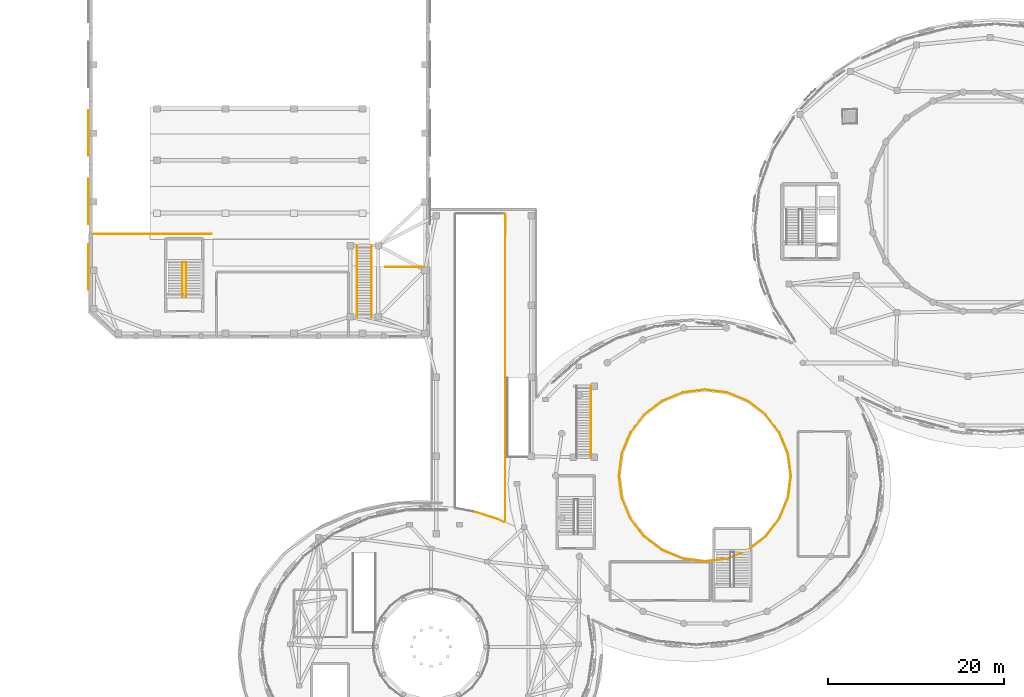
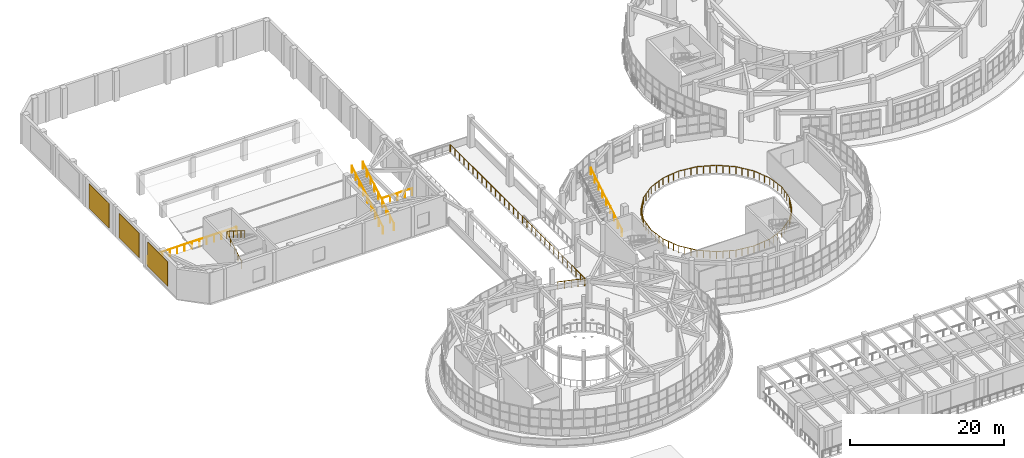
# One storey, part 93 of 98: 9 railings, 3 coverings.
"""IFC4 building model written with IfcOpenShell, lengths in metres."""

import ifcopenshell
import ifcopenshell.guid

model = None  # the IFC model being written
_history = None  # IfcOwnerHistory: only IFC2X3 demands one
_inside = {}  # id of a spatial element -> (the spatial element, [elements in it])
_under = {}  # id of a project, library or spatial element -> (it, [spatial elements below it])
_declared = {}  # id of a project -> (the project, [libraries it declares])
_typed = {}  # id of a type object -> (the type object, [elements of that type])
_made_of = {}  # id of a material, layer set ... -> (it, [elements and type objects made of it])


def new_model(schema):
    """Start an empty IFC model of exactly this schema.

    Asked for "IFC4X3", IfcOpenShell would pick the latest addendum, in which some entities
    have other attributes; the version numbers below select the first issue.
    IFC2X3 requires an IfcOwnerHistory on every rooted entity: one is made here for all.
    """
    global model, _history
    if schema == "IFC4X3":
        model = ifcopenshell.file(schema_version=(4, 3, 0, 0))
    else:
        model = ifcopenshell.file(schema=schema)
    _inside.clear()
    _under.clear()
    _declared.clear()
    _typed.clear()
    _made_of.clear()
    _history = None
    if model.schema == "IFC2X3":
        org = make("IfcOrganization", Name="unknown")
        user = make(
            "IfcPersonAndOrganization",
            ThePerson=make("IfcPerson", FamilyName="unknown"),
            TheOrganization=org,
        )
        app = make(
            "IfcApplication",
            ApplicationDeveloper=org,
            Version="unknown",
            ApplicationFullName="unknown",
            ApplicationIdentifier="unknown",
        )
        _history = make(
            "IfcOwnerHistory",
            OwningUser=user,
            OwningApplication=app,
            ChangeAction="ADDED",
            CreationDate=0,
        )
    return model


def make(cls, **values):
    """One entity of the class cls with the attributes given. An attribute that is None is left unset."""
    return model.create_entity(
        cls, **{name: value for name, value in values.items() if value is not None}
    )


def rooted(cls, **values):
    """An entity with a GlobalId (a new one), such as an element, a storey or a relation."""
    return make(cls, GlobalId=ifcopenshell.guid.new(), OwnerHistory=_history, **values)


def si_unit(unit_type, name, prefix=None):
    """IfcSIUnit, for example si_unit("LENGTHUNIT", "METRE", prefix="MILLI")."""
    return make("IfcSIUnit", UnitType=unit_type, Prefix=prefix, Name=name)


def assignment(units):
    """IfcUnitAssignment: the units of a project."""
    return None if units is None else make("IfcUnitAssignment", Units=units)


def point(xyz):
    """IfcCartesianPoint."""
    return None if xyz is None else make("IfcCartesianPoint", Coordinates=xyz)


def direction(xyz):
    """IfcDirection."""
    return None if xyz is None else make("IfcDirection", DirectionRatios=xyz)


def frame(location, z_axis=None, x_axis=None):
    """IfcAxis2Placement3D, a coordinate frame: its origin and axes. An axis left out is left unset."""
    return make(
        "IfcAxis2Placement3D",
        Location=point(location),
        Axis=direction(z_axis),
        RefDirection=direction(x_axis),
    )


def frame_2d(location, x_axis=None):
    """IfcAxis2Placement2D, a coordinate frame in the plane: its origin and x axis."""
    return make(
        "IfcAxis2Placement2D", Location=point(location), RefDirection=direction(x_axis)
    )


def origin():
    """The frame at (0, 0, 0) with its axes left unset."""
    return frame((0.0, 0.0, 0.0))


def origin_2d():
    """The frame at (0, 0) in the plane with its x axis left unset."""
    return frame_2d((0.0, 0.0))


def place(relative_to, where):
    """IfcLocalPlacement: puts the frame where relative to a parent placement (None: the world)."""
    return make(
        "IfcLocalPlacement", PlacementRelTo=relative_to, RelativePlacement=where
    )


def context(
    kind, dimensions, precision=None, world=None, true_north=None, identifier=None
):
    """IfcGeometricRepresentationContext, for example the 3D "Model" context."""
    return make(
        "IfcGeometricRepresentationContext",
        ContextIdentifier=identifier,
        ContextType=kind,
        CoordinateSpaceDimension=dimensions,
        Precision=precision,
        WorldCoordinateSystem=world,
        TrueNorth=true_north,
    )


def subcontext(parent, identifier, kind, view, scale=None):
    """IfcGeometricRepresentationSubContext, for example "Body" below "Model"."""
    return make(
        "IfcGeometricRepresentationSubContext",
        ContextIdentifier=identifier,
        ContextType=kind,
        ParentContext=parent,
        TargetScale=scale,
        TargetView=view,
    )


def project(units=None, contexts=None):
    """IfcProject with its units and contexts."""
    return rooted(
        "IfcProject",
        Name="project",
        RepresentationContexts=contexts,
        UnitsInContext=assignment(units),
    )


def spatial(cls, under=None, at=None, **own):
    """A site, building, storey or space (cls), placed at a placement, below another one or the project."""
    s = rooted(cls, ObjectPlacement=at, **own)
    if under is not None:
        _under.setdefault(under.id(), (under, []))[1].append(s)
    return s


def profile(cls, at=None, kind="AREA", **sizes):
    """A parametric profile (cls). Its sizes go by their IFC names, for example OverallWidth=200.0."""
    return make(cls, ProfileType=kind, Position=at, **sizes)


def rectangle(**sizes):
    """IfcRectangleProfileDef."""
    return profile("IfcRectangleProfileDef", **sizes)


def circle(**sizes):
    """IfcCircleProfileDef."""
    return profile("IfcCircleProfileDef", **sizes)


def extrude(swept, where, along, depth):
    """IfcExtrudedAreaSolid: the profile swept, set in the frame where, extruded along a direction by depth."""
    return make(
        "IfcExtrudedAreaSolid",
        SweptArea=swept,
        Position=where,
        ExtrudedDirection=direction(along),
        Depth=depth,
    )


def shape(context_of_items, identifier, shape_type, items):
    """IfcShapeRepresentation: the items that make up one representation, for example the "Body"."""
    return make(
        "IfcShapeRepresentation",
        ContextOfItems=context_of_items,
        RepresentationIdentifier=identifier,
        RepresentationType=shape_type,
        Items=items,
    )


def material(Name=None, Category=None):
    """IfcMaterial."""
    return make("IfcMaterial", Name=Name, Category=Category)


def layer(
    of_material, thickness, ventilated=None, Name=None, Category=None, Priority=None
):
    """IfcMaterialLayer: one layer of a wall or slab, of a material (None: an air gap)."""
    return make(
        "IfcMaterialLayer",
        Material=of_material,
        LayerThickness=thickness,
        IsVentilated=ventilated,
        Name=Name,
        Category=Category,
        Priority=Priority,
    )


def layer_set(layers, Name=None):
    """IfcMaterialLayerSet."""
    return make("IfcMaterialLayerSet", MaterialLayers=layers, LayerSetName=Name)


def made_of(thing, what):
    """Note that an element or type object is made of a material, layer set ...; save() writes the relation."""
    if what is not None:
        _made_of.setdefault(what.id(), (what, []))[1].append(thing)
    return thing


def type_object(cls, material=None, **own):
    """A type object (cls), such as IfcWallType, which elements share."""
    return made_of(rooted(cls, **own), material)


def element(
    cls,
    number,
    at=None,
    inside=None,
    cuts=None,
    type_object=None,
    material=None,
    context=None,
    identifier="Body",
    shape_type=None,
    held_by="IfcProductDefinitionShape",
    body=None,
    shapes=None,
    **own,
):
    """One element of the class cls, such as IfcWall. Its Tag is "e" and its number.

    at: its placement. inside: the storey or other place that contains it. cuts: it is an
    opening in that element (IfcRelVoidsElement). A single representation is given by context,
    identifier, shape_type and body (its items); several are given by shapes. held_by: the class
    of the entity that holds the representations. save() writes the other relations.
    """
    e = rooted(cls, Tag="e%d" % number, ObjectPlacement=at, **own)
    if body is not None:
        shapes = [shape(context, identifier, shape_type, body)]
    if shapes is not None:
        e.Representation = make(held_by, Representations=shapes)
    if inside is not None:
        _inside.setdefault(inside.id(), (inside, []))[1].append(e)
    if cuts is not None:
        rooted(
            "IfcRelVoidsElement", RelatingBuildingElement=cuts, RelatedOpeningElement=e
        )
    if type_object is not None:
        _typed.setdefault(type_object.id(), (type_object, []))[1].append(e)
    return made_of(e, material)


def aggregate(whole, parts):
    """IfcRelAggregates: a whole, such as a stair, and the parts it consists of."""
    return rooted("IfcRelAggregates", RelatingObject=whole, RelatedObjects=parts)


def save(model, path):
    """Write the relations noted so far, then the file.

    IfcRelAggregates (storeys below a building ...), IfcRelContainedInSpatialStructure (elements
    in a storey), IfcRelDefinesByType, IfcRelAssociatesMaterial and IfcRelDeclares: one each for
    every whole, place, type object, material and project.
    """
    for whole, parts in _under.values():
        aggregate(whole, parts)
    for where, things in _inside.values():
        rooted(
            "IfcRelContainedInSpatialStructure",
            RelatedElements=things,
            RelatingStructure=where,
        )
    for kind, things in _typed.values():
        rooted("IfcRelDefinesByType", RelatedObjects=things, RelatingType=kind)
    for what, things in _made_of.values():
        rooted("IfcRelAssociatesMaterial", RelatedObjects=things, RelatingMaterial=what)
    for by, libraries in _declared.values():
        rooted("IfcRelDeclares", RelatingContext=by, RelatedDefinitions=libraries)
    model.write(path)


model = new_model("IFC4")

# Units and contexts
model_context = context("Model", 3, precision=1e-05, world=origin(), true_north=direction((0.0, 1.0)))
body_context = subcontext(model_context, "Body", "Model", "MODEL_VIEW")
ifc_project = project(units=[si_unit("LENGTHUNIT", "METRE"), si_unit("AREAUNIT", "SQUARE_METRE"), si_unit("VOLUMEUNIT", "CUBIC_METRE"), si_unit("PLANEANGLEUNIT", "RADIAN"), si_unit("MASSUNIT", "GRAM", prefix="KILO")], contexts=[model_context])

# Site, building, storey
site_placement = place(None, origin())
site = spatial("IfcSite", under=ifc_project, at=site_placement, CompositionType="ELEMENT")
building_placement = place(site_placement, origin())
building = spatial("IfcBuilding", under=site, at=building_placement, Name="Pelvatis Terrace Science Centre", CompositionType="ELEMENT")
storey_placement = place(building_placement, frame((0.0, 0.0, 5.39990234375)))
storey = spatial("IfcBuildingStorey", under=building, at=storey_placement, Name="L01", CompositionType="ELEMENT", Elevation=5.39990234375)

# Coverings
ifc_material_1 = material(Name="Fluted warm stone-aggregate precast facade relief panel", Category="masonry")
ifc_layer = layer(ifc_material_1, 0.054931640625)
ifc_layer_set = layer_set([ifc_layer], Name="Fluted warm stone-aggregate precast facade relief panel")
covering_type = type_object("IfcCoveringType", Name="COV-CLAD-PREC-55", PredefinedType="CLADDING", material=ifc_layer_set)
for number, where, z_axis, x_axis, name in (
    (1, (7.8173828125, 78.35009765625, 0.500244140625), (0.0, 0.0, 1.0), (1.0, 0.0, 0.0), "Theatre fluted Art Deco relief panel W1 (L01)"),
    (2, (7.8173828125, 85.800048828125, 0.500244140625), (0.0, 0.0, 1.0), (1.0, 0.0, 0.0), "Theatre fluted Art Deco relief panel W2 (L01)"),
    (3, (7.8173828125, 93.60009765625, 0.500244140625), (0.0, 0.0, 1.0), (1.0, 0.0, 0.0), "Theatre fluted Art Deco relief panel W3 (L01)"),
):
    element("IfcCovering", number, at=place(storey_placement, frame(where, z_axis=z_axis, x_axis=x_axis)), inside=storey, type_object=covering_type, Name=name, PredefinedType="CLADDING", context=body_context, shape_type="SweptSolid", body=[
        extrude(rectangle(XDim=0.054931640625, YDim=5.199951171875, at=origin_2d()), origin(), (0.0, 0.0, 1.0), 3.89990234375),
    ])

# Railings
ifc_material_2 = material(Name="Brushed architectural bronze tubular railing", Category="steel")
railing_type_1 = type_object("IfcRailingType", Name="RLG-ATR-1140", PredefinedType="BALUSTRADE", material=ifc_material_2)
railing_1_placement = place(storey_placement, frame((87.800048828125, 54.60009765625, 0.0)))
element("IfcRailing", 4, at=railing_1_placement, inside=storey, type_object=railing_type_1, Name="Atrium overlook balustrade RLG-ATR-L01-V2 A", PredefinedType="BALUSTRADE", context=body_context, shape_type="SweptSolid", body=[
    extrude(circle(Radius=0.02392578125, at=origin_2d()), frame((0.0, 0.0, 1.11572265625), z_axis=(-0.130550788349, 0.991441622922, 0.0), x_axis=(-0.991441622922, -0.130550788349, 0.0)), (0.0, 0.0, 1.0), 2.558349609375),
    extrude(circle(Radius=0.02392578125, at=origin_2d()), frame((-0.333984375, 2.536376953125, 1.11572265625), z_axis=(-0.382683310397, 0.923879583032, 0.0), x_axis=(-0.923879583032, -0.382683310397, 0.0)), (0.0, 0.0, 1.0), 2.558349609375),
    extrude(circle(Radius=0.02392578125, at=origin_2d()), frame((-1.31298828125, 4.89990234375, 1.11572265625), z_axis=(-0.608774088014, 0.793343626534, 0.0), x_axis=(-0.793343626534, -0.608774088014, 0.0)), (0.0, 0.0, 1.0), 2.55810546875),
    extrude(circle(Radius=0.02392578125, at=origin_2d()), frame((-2.870361328125, 6.929443359375, 1.11572265625), z_axis=(-0.793378990955, 0.608727998954, 0.0), x_axis=(-0.608727998954, -0.793378990955, 0.0)), (0.0, 0.0, 1.0), 2.558349609375),
    extrude(circle(Radius=0.02392578125, at=origin_2d()), frame((-4.900146484375, 8.48681640625, 1.11572265625), z_axis=(-0.923845840288, 0.382764762462, 0.0), x_axis=(-0.382764762462, -0.923845840288, 0.0)), (0.0, 0.0, 1.0), 2.558349609375),
    extrude(circle(Radius=0.02392578125, at=origin_2d()), frame((-7.263671875, 9.466064453125, 1.11572265625), z_axis=(-0.991453970716, 0.130456981227, 0.0), x_axis=(-0.130456981227, -0.991453970716, 0.0)), (0.0, 0.0, 1.0), 2.558349609375),
    extrude(circle(Radius=0.02392578125, at=origin_2d()), frame((-9.800048828125, 9.7998046875, 1.11572265625), z_axis=(-0.991453970716, -0.130456981227, 0.0), x_axis=(0.130456981227, -0.991453970716, 0.0)), (0.0, 0.0, 1.0), 2.558349609375),
    extrude(circle(Radius=0.02392578125, at=origin_2d()), frame((-12.33642578125, 9.466064453125, 1.11572265625), z_axis=(-0.923845840288, -0.382764762462, 0.0), x_axis=(0.382764762462, -0.923845840288, 0.0)), (0.0, 0.0, 1.0), 2.558349609375),
    extrude(circle(Radius=0.02392578125, at=origin_2d()), frame((-14.699951171875, 8.48681640625, 1.11572265625), z_axis=(-0.793378990955, -0.608727998954, 0.0), x_axis=(0.608727998954, -0.793378990955, 0.0)), (0.0, 0.0, 1.0), 2.558349609375),
    extrude(circle(Radius=0.02392578125, at=origin_2d()), frame((-16.729736328125, 6.929443359375, 1.11572265625), z_axis=(-0.608774088014, -0.793343626534, 0.0), x_axis=(0.793343626534, -0.608774088014, 0.0)), (0.0, 0.0, 1.0), 2.55810546875),
    extrude(circle(Radius=0.02392578125, at=origin_2d()), frame((-18.287109375, 4.89990234375, 1.11572265625), z_axis=(-0.382683310397, -0.923879583032, 0.0), x_axis=(0.923879583032, -0.382683310397, 0.0)), (0.0, 0.0, 1.0), 2.558349609375),
    extrude(circle(Radius=0.02392578125, at=origin_2d()), frame((-19.26611328125, 2.536376953125, 1.11572265625), z_axis=(-0.130550788349, -0.991441622922, 0.0), x_axis=(0.991441622922, -0.130550788349, 0.0)), (0.0, 0.0, 1.0), 2.558349609375),
    extrude(circle(Radius=0.02099609375, at=origin_2d()), origin(), (0.0, 0.0, 1.0), 1.091796875),
    extrude(circle(Radius=0.02099609375, at=origin_2d()), frame((-0.111328125, 0.845458984375, 0.0)), (0.0, 0.0, 1.0), 1.091796875),
    extrude(circle(Radius=0.02099609375, at=origin_2d()), frame((-0.22265625, 1.69091796875, 0.0)), (0.0, 0.0, 1.0), 1.091796875),
    extrude(circle(Radius=0.02099609375, at=origin_2d()), frame((-0.333984375, 2.536376953125, 0.0)), (0.0, 0.0, 1.0), 1.091796875),
    extrude(circle(Radius=0.02099609375, at=origin_2d()), frame((-0.660400390625, 3.32421875, 0.0)), (0.0, 0.0, 1.0), 1.091796875),
    extrude(circle(Radius=0.02099609375, at=origin_2d()), frame((-0.986572265625, 4.112060546875, 0.0)), (0.0, 0.0, 1.0), 1.091796875),
    extrude(circle(Radius=0.02099609375, at=origin_2d()), frame((-1.31298828125, 4.89990234375, 0.0)), (0.0, 0.0, 1.0), 1.091796875),
    extrude(circle(Radius=0.02099609375, at=origin_2d()), frame((-1.83203125, 5.576416015625, 0.0)), (0.0, 0.0, 1.0), 1.091796875),
    extrude(circle(Radius=0.02099609375, at=origin_2d()), frame((-2.351318359375, 6.2529296875, 0.0)), (0.0, 0.0, 1.0), 1.091796875),
    extrude(circle(Radius=0.02099609375, at=origin_2d()), frame((-2.870361328125, 6.929443359375, 0.0)), (0.0, 0.0, 1.0), 1.091796875),
    extrude(circle(Radius=0.02099609375, at=origin_2d()), frame((-3.546875, 7.448486328125, 0.0)), (0.0, 0.0, 1.0), 1.091796875),
    extrude(circle(Radius=0.02099609375, at=origin_2d()), frame((-4.2236328125, 7.9677734375, 0.0)), (0.0, 0.0, 1.0), 1.091796875),
    extrude(circle(Radius=0.02099609375, at=origin_2d()), frame((-4.900146484375, 8.48681640625, 0.0)), (0.0, 0.0, 1.0), 1.091796875),
    extrude(circle(Radius=0.02099609375, at=origin_2d()), frame((-5.68798828125, 8.813232421875, 0.0)), (0.0, 0.0, 1.0), 1.091796875),
    extrude(circle(Radius=0.02099609375, at=origin_2d()), frame((-6.475830078125, 9.1396484375, 0.0)), (0.0, 0.0, 1.0), 1.091796875),
    extrude(circle(Radius=0.02099609375, at=origin_2d()), frame((-7.263671875, 9.466064453125, 0.0)), (0.0, 0.0, 1.0), 1.091796875),
    extrude(circle(Radius=0.02099609375, at=origin_2d()), frame((-8.109130859375, 9.577392578125, 0.0)), (0.0, 0.0, 1.0), 1.091796875),
    extrude(circle(Radius=0.02099609375, at=origin_2d()), frame((-8.95458984375, 9.6884765625, 0.0)), (0.0, 0.0, 1.0), 1.091796875),
    extrude(circle(Radius=0.02099609375, at=origin_2d()), frame((-9.800048828125, 9.7998046875, 0.0)), (0.0, 0.0, 1.0), 1.091796875),
    extrude(circle(Radius=0.02099609375, at=origin_2d()), frame((-10.6455078125, 9.6884765625, 0.0)), (0.0, 0.0, 1.0), 1.091796875),
    extrude(circle(Radius=0.02099609375, at=origin_2d()), frame((-11.490966796875, 9.577392578125, 0.0)), (0.0, 0.0, 1.0), 1.091796875),
    extrude(circle(Radius=0.02099609375, at=origin_2d()), frame((-12.33642578125, 9.466064453125, 0.0)), (0.0, 0.0, 1.0), 1.091796875),
    extrude(circle(Radius=0.02099609375, at=origin_2d()), frame((-13.124267578125, 9.1396484375, 0.0)), (0.0, 0.0, 1.0), 1.091796875),
    extrude(circle(Radius=0.02099609375, at=origin_2d()), frame((-13.912109375, 8.813232421875, 0.0)), (0.0, 0.0, 1.0), 1.091796875),
    extrude(circle(Radius=0.02099609375, at=origin_2d()), frame((-14.699951171875, 8.48681640625, 0.0)), (0.0, 0.0, 1.0), 1.091796875),
    extrude(circle(Radius=0.02099609375, at=origin_2d()), frame((-15.37646484375, 7.9677734375, 0.0)), (0.0, 0.0, 1.0), 1.091796875),
    extrude(circle(Radius=0.02099609375, at=origin_2d()), frame((-16.05322265625, 7.448486328125, 0.0)), (0.0, 0.0, 1.0), 1.091796875),
    extrude(circle(Radius=0.02099609375, at=origin_2d()), frame((-16.729736328125, 6.929443359375, 0.0)), (0.0, 0.0, 1.0), 1.091796875),
    extrude(circle(Radius=0.02099609375, at=origin_2d()), frame((-17.248779296875, 6.2529296875, 0.0)), (0.0, 0.0, 1.0), 1.091796875),
    extrude(circle(Radius=0.02099609375, at=origin_2d()), frame((-17.76806640625, 5.576416015625, 0.0)), (0.0, 0.0, 1.0), 1.091796875),
    extrude(circle(Radius=0.02099609375, at=origin_2d()), frame((-18.287109375, 4.89990234375, 0.0)), (0.0, 0.0, 1.0), 1.091796875),
    extrude(circle(Radius=0.02099609375, at=origin_2d()), frame((-18.613525390625, 4.112060546875, 0.0)), (0.0, 0.0, 1.0), 1.091796875),
    extrude(circle(Radius=0.02099609375, at=origin_2d()), frame((-18.939697265625, 3.32421875, 0.0)), (0.0, 0.0, 1.0), 1.091796875),
    extrude(circle(Radius=0.02099609375, at=origin_2d()), frame((-19.26611328125, 2.536376953125, 0.0)), (0.0, 0.0, 1.0), 1.091796875),
    extrude(circle(Radius=0.02099609375, at=origin_2d()), frame((-19.37744140625, 1.69091796875, 0.0)), (0.0, 0.0, 1.0), 1.091796875),
    extrude(circle(Radius=0.02099609375, at=origin_2d()), frame((-19.48876953125, 0.845458984375, 0.0)), (0.0, 0.0, 1.0), 1.091796875),
    extrude(circle(Radius=0.02099609375, at=origin_2d()), frame((-19.60009765625, 0.0, 0.0)), (0.0, 0.0, 1.0), 1.091796875),
])
railing_2_placement = place(storey_placement, frame((68.199951171875, 54.60009765625, 0.0)))
element("IfcRailing", 5, at=railing_2_placement, inside=storey, type_object=railing_type_1, Name="Atrium overlook balustrade RLG-ATR-L01-V2 B", PredefinedType="BALUSTRADE", context=body_context, shape_type="SweptSolid", body=[
    extrude(circle(Radius=0.02392578125, at=origin_2d()), frame((0.0, 0.0, 1.11572265625), z_axis=(0.130550788349, -0.991441622922, 0.0), x_axis=(0.991441622922, 0.130550788349, 0.0)), (0.0, 0.0, 1.0), 2.558349609375),
    extrude(circle(Radius=0.02392578125, at=origin_2d()), frame((0.333984375, -2.536376953125, 1.11572265625), z_axis=(0.382649572731, -0.923893556904, 0.0), x_axis=(0.923893556904, 0.382649572731, 0.0)), (0.0, 0.0, 1.0), 2.55859375),
    extrude(circle(Radius=0.02392578125, at=origin_2d()), frame((1.31298828125, -4.900146484375, 1.11572265625), z_axis=(0.608774088014, -0.793343626534, 0.0), x_axis=(0.793343626534, 0.608774088014, 0.0)), (0.0, 0.0, 1.0), 2.55810546875),
    extrude(circle(Radius=0.02392578125, at=origin_2d()), frame((2.870361328125, -6.9296875, 1.11572265625), z_axis=(0.793378990955, -0.608727998954, 0.0), x_axis=(0.608727998954, 0.793378990955, 0.0)), (0.0, 0.0, 1.0), 2.558349609375),
    extrude(circle(Radius=0.02392578125, at=origin_2d()), frame((4.900146484375, -8.487060546875, 1.11572265625), z_axis=(0.923845840288, -0.382764762462, 0.0), x_axis=(0.382764762462, 0.923845840288, 0.0)), (0.0, 0.0, 1.0), 2.558349609375),
    extrude(circle(Radius=0.02392578125, at=origin_2d()), frame((7.263671875, -9.46630859375, 1.11572265625), z_axis=(0.991453970716, -0.130456981227, 0.0), x_axis=(0.130456981227, 0.991453970716, 0.0)), (0.0, 0.0, 1.0), 2.558349609375),
    extrude(circle(Radius=0.02392578125, at=origin_2d()), frame((9.800048828125, -9.800048828125, 1.11572265625), z_axis=(0.991453970716, 0.130456981227, 0.0), x_axis=(-0.130456981227, 0.991453970716, 0.0)), (0.0, 0.0, 1.0), 2.558349609375),
    extrude(circle(Radius=0.02392578125, at=origin_2d()), frame((12.33642578125, -9.46630859375, 1.11572265625), z_axis=(0.923845840288, 0.382764762462, 0.0), x_axis=(-0.382764762462, 0.923845840288, 0.0)), (0.0, 0.0, 1.0), 2.558349609375),
    extrude(circle(Radius=0.02392578125, at=origin_2d()), frame((14.699951171875, -8.487060546875, 1.11572265625), z_axis=(0.793378990955, 0.608727998954, 0.0), x_axis=(-0.608727998954, 0.793378990955, 0.0)), (0.0, 0.0, 1.0), 2.558349609375),
    extrude(circle(Radius=0.02392578125, at=origin_2d()), frame((16.729736328125, -6.9296875, 1.11572265625), z_axis=(0.608774088014, 0.793343626534, 0.0), x_axis=(-0.793343626534, 0.608774088014, 0.0)), (0.0, 0.0, 1.0), 2.55810546875),
    extrude(circle(Radius=0.02392578125, at=origin_2d()), frame((18.287109375, -4.900146484375, 1.11572265625), z_axis=(0.382649572731, 0.923893556904, 0.0), x_axis=(-0.923893556904, 0.382649572731, 0.0)), (0.0, 0.0, 1.0), 2.55859375),
    extrude(circle(Radius=0.02392578125, at=origin_2d()), frame((19.26611328125, -2.536376953125, 1.11572265625), z_axis=(0.130550788349, 0.991441622922, 0.0), x_axis=(-0.991441622922, 0.130550788349, 0.0)), (0.0, 0.0, 1.0), 2.558349609375),
    extrude(circle(Radius=0.02099609375, at=origin_2d()), origin(), (0.0, 0.0, 1.0), 1.091796875),
    extrude(circle(Radius=0.02099609375, at=origin_2d()), frame((0.111328125, -0.845458984375, 0.0)), (0.0, 0.0, 1.0), 1.091796875),
    extrude(circle(Radius=0.02099609375, at=origin_2d()), frame((0.22265625, -1.69091796875, 0.0)), (0.0, 0.0, 1.0), 1.091796875),
    extrude(circle(Radius=0.02099609375, at=origin_2d()), frame((0.333984375, -2.536376953125, 0.0)), (0.0, 0.0, 1.0), 1.091796875),
    extrude(circle(Radius=0.02099609375, at=origin_2d()), frame((0.660400390625, -3.32421875, 0.0)), (0.0, 0.0, 1.0), 1.091796875),
    extrude(circle(Radius=0.02099609375, at=origin_2d()), frame((0.986572265625, -4.1123046875, 0.0)), (0.0, 0.0, 1.0), 1.091796875),
    extrude(circle(Radius=0.02099609375, at=origin_2d()), frame((1.31298828125, -4.900146484375, 0.0)), (0.0, 0.0, 1.0), 1.091796875),
    extrude(circle(Radius=0.02099609375, at=origin_2d()), frame((1.83203125, -5.57666015625, 0.0)), (0.0, 0.0, 1.0), 1.091796875),
    extrude(circle(Radius=0.02099609375, at=origin_2d()), frame((2.351318359375, -6.253173828125, 0.0)), (0.0, 0.0, 1.0), 1.091796875),
    extrude(circle(Radius=0.02099609375, at=origin_2d()), frame((2.870361328125, -6.9296875, 0.0)), (0.0, 0.0, 1.0), 1.091796875),
    extrude(circle(Radius=0.02099609375, at=origin_2d()), frame((3.546875, -7.44873046875, 0.0)), (0.0, 0.0, 1.0), 1.091796875),
    extrude(circle(Radius=0.02099609375, at=origin_2d()), frame((4.2236328125, -7.968017578125, 0.0)), (0.0, 0.0, 1.0), 1.091796875),
    extrude(circle(Radius=0.02099609375, at=origin_2d()), frame((4.900146484375, -8.487060546875, 0.0)), (0.0, 0.0, 1.0), 1.091796875),
    extrude(circle(Radius=0.02099609375, at=origin_2d()), frame((5.68798828125, -8.8134765625, 0.0)), (0.0, 0.0, 1.0), 1.091796875),
    extrude(circle(Radius=0.02099609375, at=origin_2d()), frame((6.475830078125, -9.139892578125, 0.0)), (0.0, 0.0, 1.0), 1.091796875),
    extrude(circle(Radius=0.02099609375, at=origin_2d()), frame((7.263671875, -9.46630859375, 0.0)), (0.0, 0.0, 1.0), 1.091796875),
    extrude(circle(Radius=0.02099609375, at=origin_2d()), frame((8.109130859375, -9.57763671875, 0.0)), (0.0, 0.0, 1.0), 1.091796875),
    extrude(circle(Radius=0.02099609375, at=origin_2d()), frame((8.95458984375, -9.688720703125, 0.0)), (0.0, 0.0, 1.0), 1.091796875),
    extrude(circle(Radius=0.02099609375, at=origin_2d()), frame((9.800048828125, -9.800048828125, 0.0)), (0.0, 0.0, 1.0), 1.091796875),
    extrude(circle(Radius=0.02099609375, at=origin_2d()), frame((10.6455078125, -9.688720703125, 0.0)), (0.0, 0.0, 1.0), 1.091796875),
    extrude(circle(Radius=0.02099609375, at=origin_2d()), frame((11.490966796875, -9.57763671875, 0.0)), (0.0, 0.0, 1.0), 1.091796875),
    extrude(circle(Radius=0.02099609375, at=origin_2d()), frame((12.33642578125, -9.46630859375, 0.0)), (0.0, 0.0, 1.0), 1.091796875),
    extrude(circle(Radius=0.02099609375, at=origin_2d()), frame((13.124267578125, -9.139892578125, 0.0)), (0.0, 0.0, 1.0), 1.091796875),
    extrude(circle(Radius=0.02099609375, at=origin_2d()), frame((13.912109375, -8.8134765625, 0.0)), (0.0, 0.0, 1.0), 1.091796875),
    extrude(circle(Radius=0.02099609375, at=origin_2d()), frame((14.699951171875, -8.487060546875, 0.0)), (0.0, 0.0, 1.0), 1.091796875),
    extrude(circle(Radius=0.02099609375, at=origin_2d()), frame((15.37646484375, -7.968017578125, 0.0)), (0.0, 0.0, 1.0), 1.091796875),
    extrude(circle(Radius=0.02099609375, at=origin_2d()), frame((16.05322265625, -7.44873046875, 0.0)), (0.0, 0.0, 1.0), 1.091796875),
    extrude(circle(Radius=0.02099609375, at=origin_2d()), frame((16.729736328125, -6.9296875, 0.0)), (0.0, 0.0, 1.0), 1.091796875),
    extrude(circle(Radius=0.02099609375, at=origin_2d()), frame((17.248779296875, -6.253173828125, 0.0)), (0.0, 0.0, 1.0), 1.091796875),
    extrude(circle(Radius=0.02099609375, at=origin_2d()), frame((17.76806640625, -5.57666015625, 0.0)), (0.0, 0.0, 1.0), 1.091796875),
    extrude(circle(Radius=0.02099609375, at=origin_2d()), frame((18.287109375, -4.900146484375, 0.0)), (0.0, 0.0, 1.0), 1.091796875),
    extrude(circle(Radius=0.02099609375, at=origin_2d()), frame((18.613525390625, -4.1123046875, 0.0)), (0.0, 0.0, 1.0), 1.091796875),
    extrude(circle(Radius=0.02099609375, at=origin_2d()), frame((18.939697265625, -3.32421875, 0.0)), (0.0, 0.0, 1.0), 1.091796875),
    extrude(circle(Radius=0.02099609375, at=origin_2d()), frame((19.26611328125, -2.536376953125, 0.0)), (0.0, 0.0, 1.0), 1.091796875),
    extrude(circle(Radius=0.02099609375, at=origin_2d()), frame((19.37744140625, -1.69091796875, 0.0)), (0.0, 0.0, 1.0), 1.091796875),
    extrude(circle(Radius=0.02099609375, at=origin_2d()), frame((19.48876953125, -0.845458984375, 0.0)), (0.0, 0.0, 1.0), 1.091796875),
    extrude(circle(Radius=0.02099609375, at=origin_2d()), frame((19.60009765625, 0.0, 0.0)), (0.0, 0.0, 1.0), 1.091796875),
])
ifc_material_3 = material(Name="Bronze-anodised aluminium and laminated safety glass balustrade", Category="aluminium")
railing_type_2 = type_object("IfcRailingType", Name="RLG-BAL-1150", PredefinedType="BALUSTRADE", material=ifc_material_3)
railing_3_placement = place(storey_placement, frame((8.47509765625, 82.139892578125, 0.0)))
element("IfcRailing", 6, at=railing_3_placement, inside=storey, type_object=railing_type_2, Name="Perimeter edge balustrade RLG-EDG-L01-097", PredefinedType="BALUSTRADE", context=body_context, shape_type="SweptSolid", body=[
    extrude(circle(Radius=0.02392578125, at=origin_2d()), frame((0.0, 0.0, 1.1259765625), z_axis=(1.0, 0.0, 0.0), x_axis=(0.0, 1.0, 0.0)), (0.0, 0.0, 1.0), 13.324951171875),
    extrude(circle(Radius=0.02099609375, at=origin_2d()), origin(), (0.0, 0.0, 1.0), 1.101806640625),
    extrude(circle(Radius=0.02099609375, at=origin_2d()), frame((1.1103515625, 0.0, 0.0)), (0.0, 0.0, 1.0), 1.101806640625),
    extrude(circle(Radius=0.02099609375, at=origin_2d()), frame((2.220703125, 0.0, 0.0)), (0.0, 0.0, 1.0), 1.101806640625),
    extrude(circle(Radius=0.02099609375, at=origin_2d()), frame((3.331298828125, 0.0, 0.0)), (0.0, 0.0, 1.0), 1.101806640625),
    extrude(circle(Radius=0.02099609375, at=origin_2d()), frame((4.441650390625, 0.0, 0.0)), (0.0, 0.0, 1.0), 1.101806640625),
    extrude(circle(Radius=0.02099609375, at=origin_2d()), frame((5.552001953125, 0.0, 0.0)), (0.0, 0.0, 1.0), 1.101806640625),
    extrude(circle(Radius=0.02099609375, at=origin_2d()), frame((6.66259765625, 0.0, 0.0)), (0.0, 0.0, 1.0), 1.101806640625),
    extrude(circle(Radius=0.02099609375, at=origin_2d()), frame((7.77294921875, 0.0, 0.0)), (0.0, 0.0, 1.0), 1.101806640625),
    extrude(circle(Radius=0.02099609375, at=origin_2d()), frame((8.88330078125, 0.0, 0.0)), (0.0, 0.0, 1.0), 1.101806640625),
    extrude(circle(Radius=0.02099609375, at=origin_2d()), frame((9.99365234375, 0.0, 0.0)), (0.0, 0.0, 1.0), 1.101806640625),
    extrude(circle(Radius=0.02099609375, at=origin_2d()), frame((11.10400390625, 0.0, 0.0)), (0.0, 0.0, 1.0), 1.101806640625),
    extrude(circle(Radius=0.02099609375, at=origin_2d()), frame((12.214599609375, 0.0, 0.0)), (0.0, 0.0, 1.0), 1.101806640625),
    extrude(circle(Radius=0.02099609375, at=origin_2d()), frame((13.324951171875, 0.0, 0.0)), (0.0, 0.0, 1.0), 1.101806640625),
])
railing_4_placement = place(storey_placement, frame((41.60009765625, 78.340087890625, 0.0)))
element("IfcRailing", 7, at=railing_4_placement, inside=storey, type_object=railing_type_2, Name="Perimeter edge balustrade RLG-EDG-L01-098", PredefinedType="BALUSTRADE", context=body_context, shape_type="SweptSolid", body=[
    extrude(circle(Radius=0.02392578125, at=origin_2d()), frame((0.0, 0.0, 1.1259765625), z_axis=(1.0, 0.0, 0.0), x_axis=(0.0, 1.0, 0.0)), (0.0, 0.0, 1.0), 4.4248046875),
    extrude(circle(Radius=0.02099609375, at=origin_2d()), origin(), (0.0, 0.0, 1.0), 1.101806640625),
    extrude(circle(Radius=0.02099609375, at=origin_2d()), frame((1.106201171875, 0.0, 0.0)), (0.0, 0.0, 1.0), 1.101806640625),
    extrude(circle(Radius=0.02099609375, at=origin_2d()), frame((2.21240234375, 0.0, 0.0)), (0.0, 0.0, 1.0), 1.101806640625),
    extrude(circle(Radius=0.02099609375, at=origin_2d()), frame((3.318603515625, 0.0, 0.0)), (0.0, 0.0, 1.0), 1.101806640625),
    extrude(circle(Radius=0.02099609375, at=origin_2d()), frame((4.4248046875, 0.0, 0.0)), (0.0, 0.0, 1.0), 1.101806640625),
])
railing_5_placement = place(storey_placement, frame((51.794677734375, 50.477294921875, 0.0)))
element("IfcRailing", 8, at=railing_5_placement, inside=storey, type_object=railing_type_2, Name="Perimeter edge balustrade RLG-EDG-L01-241", PredefinedType="BALUSTRADE", context=body_context, shape_type="SweptSolid", body=[
    extrude(circle(Radius=0.02392578125, at=origin_2d()), frame((0.0, 0.0, 1.1259765625), z_axis=(0.952833819799, -0.303492523544, 0.0), x_axis=(0.303492523544, 0.952833819799, 0.0)), (0.0, 0.0, 1.0), 2.68603515625),
    extrude(circle(Radius=0.02392578125, at=origin_2d()), frame((2.559326171875, -0.815185546875, 1.1259765625), z_axis=(0.906627221523, -0.421932555265, 0.0), x_axis=(0.421932555265, 0.906627221523, 0.0)), (0.0, 0.0, 1.0), 0.855712890625),
    extrude(circle(Radius=0.02392578125, at=origin_2d()), frame((3.335205078125, -1.17626953125, 1.1259765625), z_axis=(0.892317762706, 0.451407809369, 0.0), x_axis=(-0.451407809369, 0.892317762706, 0.0)), (0.0, 0.0, 1.0), 0.1396484375),
    extrude(circle(Radius=0.02392578125, at=origin_2d()), frame((3.459716796875, -1.11328125, 1.1259765625), z_axis=(0.000160453174, 0.999999987127, 0.0), x_axis=(-0.999999987127, 0.000160453174, 0.0)), (0.0, 0.0, 1.0), 34.99609375),
    extrude(circle(Radius=0.02392578125, at=origin_2d()), frame((3.46533203125, 33.8828125, 1.1259765625), z_axis=(-0.661377195874, 0.750053467946, 0.0), x_axis=(-0.750053467946, -0.661377195874, 0.0)), (0.0, 0.0, 1.0), 0.132080078125),
    extrude(circle(Radius=0.02099609375, at=origin_2d()), origin(), (0.0, 0.0, 1.0), 1.101806640625),
    extrude(circle(Radius=0.02099609375, at=origin_2d()), frame((0.85302734375, -0.271728515625, 0.0)), (0.0, 0.0, 1.0), 1.101806640625),
    extrude(circle(Radius=0.02099609375, at=origin_2d()), frame((1.706298828125, -0.54345703125, 0.0)), (0.0, 0.0, 1.0), 1.101806640625),
    extrude(circle(Radius=0.02099609375, at=origin_2d()), frame((2.559326171875, -0.815185546875, 0.0)), (0.0, 0.0, 1.0), 1.101806640625),
    extrude(circle(Radius=0.02099609375, at=origin_2d()), frame((3.335205078125, -1.17626953125, 0.0)), (0.0, 0.0, 1.0), 1.101806640625),
    extrude(circle(Radius=0.02099609375, at=origin_2d()), frame((3.459716796875, -1.11328125, 0.0)), (0.0, 0.0, 1.0), 1.101806640625),
    extrude(circle(Radius=0.02099609375, at=origin_2d()), frame((3.4599609375, 0.05322265625, 0.0)), (0.0, 0.0, 1.0), 1.101806640625),
    extrude(circle(Radius=0.02099609375, at=origin_2d()), frame((3.460205078125, 1.2197265625, 0.0)), (0.0, 0.0, 1.0), 1.101806640625),
    extrude(circle(Radius=0.02099609375, at=origin_2d()), frame((3.460205078125, 2.38623046875, 0.0)), (0.0, 0.0, 1.0), 1.101806640625),
    extrude(circle(Radius=0.02099609375, at=origin_2d()), frame((3.46044921875, 3.552978515625, 0.0)), (0.0, 0.0, 1.0), 1.101806640625),
    extrude(circle(Radius=0.02099609375, at=origin_2d()), frame((3.460693359375, 4.719482421875, 0.0)), (0.0, 0.0, 1.0), 1.101806640625),
    extrude(circle(Radius=0.02099609375, at=origin_2d()), frame((3.4609375, 5.885986328125, 0.0)), (0.0, 0.0, 1.0), 1.101806640625),
    extrude(circle(Radius=0.02099609375, at=origin_2d()), frame((3.4609375, 7.052490234375, 0.0)), (0.0, 0.0, 1.0), 1.101806640625),
    extrude(circle(Radius=0.02099609375, at=origin_2d()), frame((3.461181640625, 8.218994140625, 0.0)), (0.0, 0.0, 1.0), 1.101806640625),
    extrude(circle(Radius=0.02099609375, at=origin_2d()), frame((3.46142578125, 9.385498046875, 0.0)), (0.0, 0.0, 1.0), 1.101806640625),
    extrude(circle(Radius=0.02099609375, at=origin_2d()), frame((3.461669921875, 10.552001953125, 0.0)), (0.0, 0.0, 1.0), 1.101806640625),
    extrude(circle(Radius=0.02099609375, at=origin_2d()), frame((3.461669921875, 11.718505859375, 0.0)), (0.0, 0.0, 1.0), 1.101806640625),
    extrude(circle(Radius=0.02099609375, at=origin_2d()), frame((3.4619140625, 12.88525390625, 0.0)), (0.0, 0.0, 1.0), 1.101806640625),
    extrude(circle(Radius=0.02099609375, at=origin_2d()), frame((3.462158203125, 14.0517578125, 0.0)), (0.0, 0.0, 1.0), 1.101806640625),
    extrude(circle(Radius=0.02099609375, at=origin_2d()), frame((3.46240234375, 15.21826171875, 0.0)), (0.0, 0.0, 1.0), 1.101806640625),
    extrude(circle(Radius=0.02099609375, at=origin_2d()), frame((3.46240234375, 16.384765625, 0.0)), (0.0, 0.0, 1.0), 1.101806640625),
    extrude(circle(Radius=0.02099609375, at=origin_2d()), frame((3.462646484375, 17.55126953125, 0.0)), (0.0, 0.0, 1.0), 1.101806640625),
    extrude(circle(Radius=0.02099609375, at=origin_2d()), frame((3.462890625, 18.7177734375, 0.0)), (0.0, 0.0, 1.0), 1.101806640625),
    extrude(circle(Radius=0.02099609375, at=origin_2d()), frame((3.463134765625, 19.88427734375, 0.0)), (0.0, 0.0, 1.0), 1.101806640625),
    extrude(circle(Radius=0.02099609375, at=origin_2d()), frame((3.46337890625, 21.051025390625, 0.0)), (0.0, 0.0, 1.0), 1.101806640625),
    extrude(circle(Radius=0.02099609375, at=origin_2d()), frame((3.46337890625, 22.217529296875, 0.0)), (0.0, 0.0, 1.0), 1.101806640625),
    extrude(circle(Radius=0.02099609375, at=origin_2d()), frame((3.463623046875, 23.384033203125, 0.0)), (0.0, 0.0, 1.0), 1.101806640625),
    extrude(circle(Radius=0.02099609375, at=origin_2d()), frame((3.4638671875, 24.550537109375, 0.0)), (0.0, 0.0, 1.0), 1.101806640625),
    extrude(circle(Radius=0.02099609375, at=origin_2d()), frame((3.464111328125, 25.717041015625, 0.0)), (0.0, 0.0, 1.0), 1.101806640625),
    extrude(circle(Radius=0.02099609375, at=origin_2d()), frame((3.464111328125, 26.883544921875, 0.0)), (0.0, 0.0, 1.0), 1.101806640625),
    extrude(circle(Radius=0.02099609375, at=origin_2d()), frame((3.46435546875, 28.050048828125, 0.0)), (0.0, 0.0, 1.0), 1.101806640625),
    extrude(circle(Radius=0.02099609375, at=origin_2d()), frame((3.464599609375, 29.216552734375, 0.0)), (0.0, 0.0, 1.0), 1.101806640625),
    extrude(circle(Radius=0.02099609375, at=origin_2d()), frame((3.46484375, 30.38330078125, 0.0)), (0.0, 0.0, 1.0), 1.101806640625),
    extrude(circle(Radius=0.02099609375, at=origin_2d()), frame((3.46484375, 31.5498046875, 0.0)), (0.0, 0.0, 1.0), 1.101806640625),
    extrude(circle(Radius=0.02099609375, at=origin_2d()), frame((3.465087890625, 32.71630859375, 0.0)), (0.0, 0.0, 1.0), 1.101806640625),
    extrude(circle(Radius=0.02099609375, at=origin_2d()), frame((3.46533203125, 33.8828125, 0.0)), (0.0, 0.0, 1.0), 1.101806640625),
    extrude(circle(Radius=0.02099609375, at=origin_2d()), frame((3.3779296875, 33.98193359375, 0.0)), (0.0, 0.0, 1.0), 1.101806640625),
])
ifc_material_4 = material(Name="Brushed architectural bronze tubular railing", Category="steel")
railing_type_3 = type_object("IfcRailingType", Name="RLG-GRD-1120", PredefinedType="GUARDRAIL", material=ifc_material_4)
railing_6_placement = place(storey_placement, frame((18.47998046875, 75.0, 0.0)))
element("IfcRailing", 9, at=railing_6_placement, inside=storey, type_object=railing_type_3, Name="Stair ST-07-L01 inner well guard", PredefinedType="GUARDRAIL", context=body_context, shape_type="SweptSolid", body=[
    extrude(circle(Radius=0.02392578125, at=origin_2d()), frame((0.0, 0.0, 1.09619140625), z_axis=(0.0, 0.851638180308, 0.5241301459), x_axis=(-1.0, 0.0, 0.0)), (0.0, 0.0, 1.0), 4.579345703125),
    extrude(circle(Radius=0.02392578125, at=origin_2d()), frame((0.0, 3.89990234375, 3.49609375), z_axis=(1.0, 0.0, 0.0), x_axis=(0.0, 1.0, 0.0)), (0.0, 0.0, 1.0), 0.43994140625),
    extrude(circle(Radius=0.02392578125, at=origin_2d()), frame((0.43994140625, 3.89990234375, 3.49609375), z_axis=(0.0, -0.851661977835, 0.524091476281), x_axis=(1.0, 0.0, 0.0)), (0.0, 0.0, 1.0), 4.5791015625),
    extrude(circle(Radius=0.02099609375, at=origin_2d()), origin(), (0.0, 0.0, 1.0), 1.072021484375),
    extrude(circle(Radius=0.02099609375, at=origin_2d()), frame((0.0, 0.97509765625, 0.60009765625)), (0.0, 0.0, 1.0), 1.072021484375),
    extrude(circle(Radius=0.02099609375, at=origin_2d()), frame((0.0, 1.949951171875, 1.2001953125)), (0.0, 0.0, 1.0), 1.072021484375),
    extrude(circle(Radius=0.02099609375, at=origin_2d()), frame((0.0, 2.9248046875, 1.800048828125)), (0.0, 0.0, 1.0), 1.072021484375),
    extrude(circle(Radius=0.02099609375, at=origin_2d()), frame((0.0, 3.89990234375, 2.400146484375)), (0.0, 0.0, 1.0), 1.072021484375),
    extrude(circle(Radius=0.02099609375, at=origin_2d()), frame((0.43994140625, 3.89990234375, 2.400146484375)), (0.0, 0.0, 1.0), 1.072021484375),
    extrude(circle(Radius=0.02099609375, at=origin_2d()), frame((0.43994140625, 2.9248046875, 3.0)), (0.0, 0.0, 1.0), 1.072021484375),
    extrude(circle(Radius=0.02099609375, at=origin_2d()), frame((0.43994140625, 1.949951171875, 3.60009765625)), (0.0, 0.0, 1.0), 1.072021484375),
    extrude(circle(Radius=0.02099609375, at=origin_2d()), frame((0.43994140625, 0.97509765625, 4.2001953125)), (0.0, 0.0, 1.0), 1.072021484375),
    extrude(circle(Radius=0.02099609375, at=origin_2d()), frame((0.43994140625, 0.0, 4.800048828125)), (0.0, 0.0, 1.0), 1.072021484375),
])
for number, where, name in (
    (10, (65.034912109375, 56.699951171875, 0.0), "Stair FST-03 flight guard R"),
    (11, (38.364990234375, 72.699951171875, 0.0), "Stair FST-04 flight guard L"),
    (12, (40.034912109375, 72.699951171875, 0.0), "Stair FST-04 flight guard R"),
):
    element("IfcRailing", number, at=place(storey_placement, frame(where)), inside=storey, type_object=railing_type_3, Name=name, PredefinedType="GUARDRAIL", context=body_context, shape_type="SweptSolid", body=[
        extrude(circle(Radius=0.02392578125, at=origin_2d()), frame((0.0, 0.0, 1.09619140625), z_axis=(0.0, 0.860291954825, 0.509801679541), x_axis=(-1.0, 0.0, 0.0)), (0.0, 0.0, 1.0), 9.41552734375),
        extrude(circle(Radius=0.02099609375, at=origin_2d()), origin(), (0.0, 0.0, 1.0), 1.072021484375),
        extrude(circle(Radius=0.02099609375, at=origin_2d()), frame((0.0, 1.012451171875, 0.60009765625)), (0.0, 0.0, 1.0), 1.072021484375),
        extrude(circle(Radius=0.02099609375, at=origin_2d()), frame((0.0, 2.02490234375, 1.199951171875)), (0.0, 0.0, 1.0), 1.072021484375),
        extrude(circle(Radius=0.02099609375, at=origin_2d()), frame((0.0, 3.03759765625, 1.800048828125)), (0.0, 0.0, 1.0), 1.072021484375),
        extrude(circle(Radius=0.02099609375, at=origin_2d()), frame((0.0, 4.050048828125, 2.39990234375)), (0.0, 0.0, 1.0), 1.072021484375),
        extrude(circle(Radius=0.02099609375, at=origin_2d()), frame((0.0, 5.0625, 3.0)), (0.0, 0.0, 1.0), 1.072021484375),
        extrude(circle(Radius=0.02099609375, at=origin_2d()), frame((0.0, 6.0751953125, 3.60009765625)), (0.0, 0.0, 1.0), 1.072021484375),
        extrude(circle(Radius=0.02099609375, at=origin_2d()), frame((0.0, 7.087646484375, 4.199951171875)), (0.0, 0.0, 1.0), 1.072021484375),
        extrude(circle(Radius=0.02099609375, at=origin_2d()), frame((0.0, 8.10009765625, 4.800048828125)), (0.0, 0.0, 1.0), 1.072021484375),
    ])

save(model, "model.ifc")
